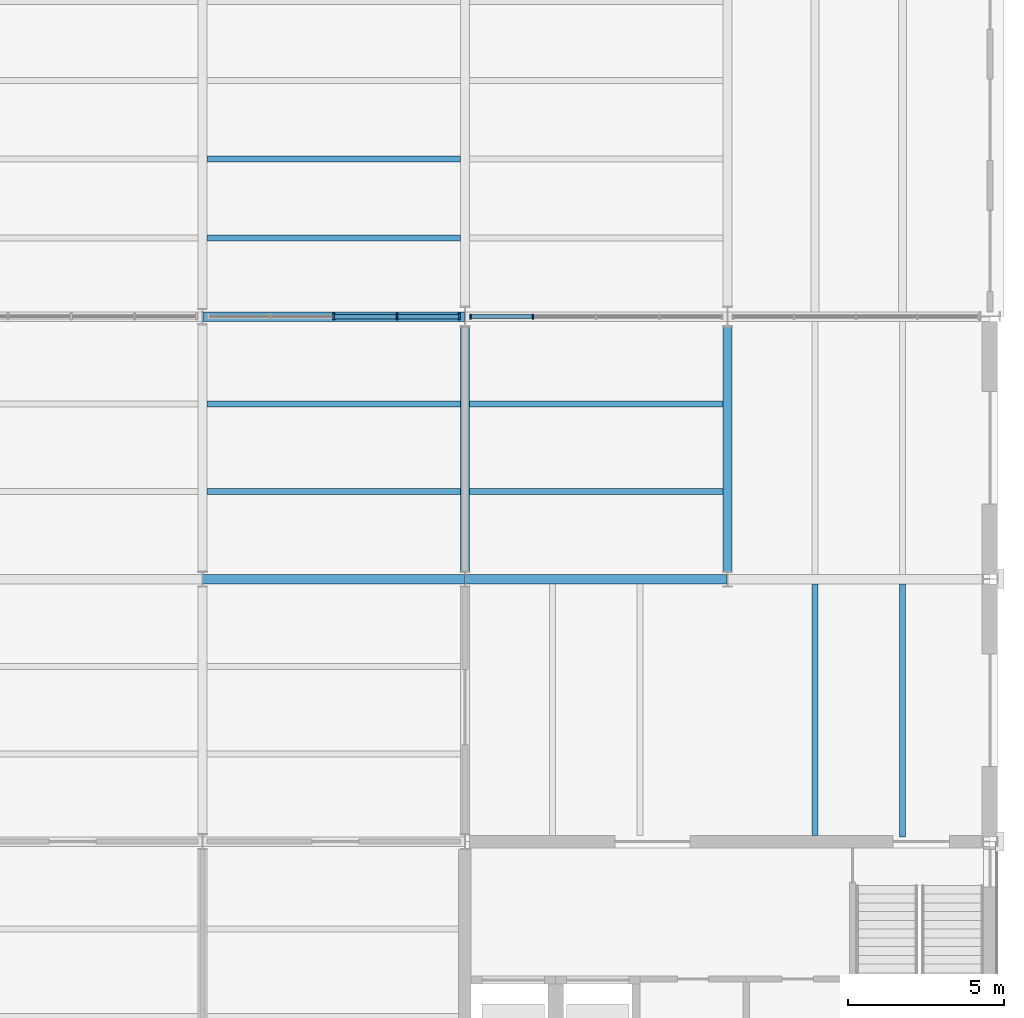
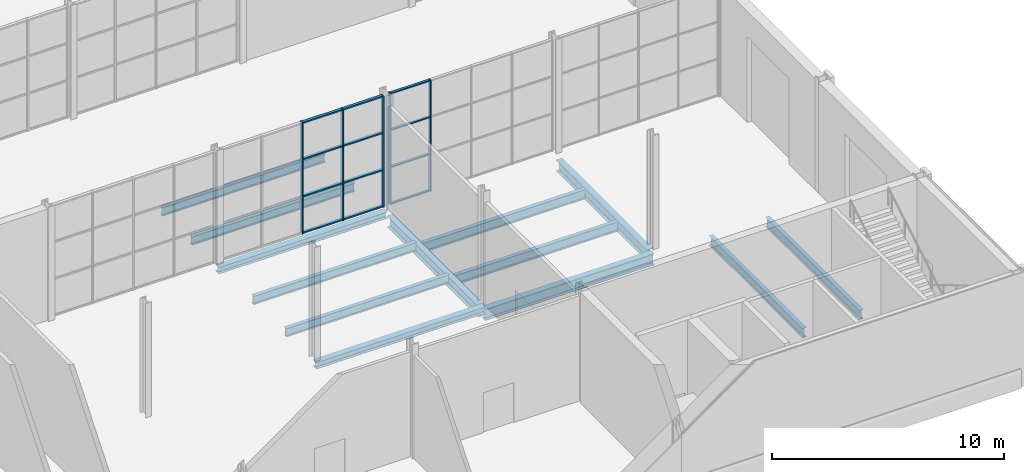
# One storey, part 21 of 55: 17 members, 13 beams, 2 elements without a shape of their own.
"""IFC4 building model written with IfcOpenShell, lengths in metres."""

from ifc_helpers import new_model, si_unit, direction, frame, origin, origin_2d, place, context, subcontext, project, spatial, rectangle, i_section, extrude, material, layer, layer_set, material_profile, profile_set, type_object, element, aggregate, save


model = new_model("IFC4")

# Units and contexts
model_context = context("Model", 3, precision=1e-05, world=origin(), true_north=direction((0.0, 1.0)))
body_context = subcontext(model_context, "Body", "Model", "MODEL_VIEW")
ifc_project = project(units=[si_unit("LENGTHUNIT", "METRE"), si_unit("AREAUNIT", "SQUARE_METRE"), si_unit("VOLUMEUNIT", "CUBIC_METRE"), si_unit("PLANEANGLEUNIT", "RADIAN"), si_unit("MASSUNIT", "GRAM", prefix="KILO")], contexts=[model_context])

# Site, building, storey
site_placement = place(None, origin())
site = spatial("IfcSite", under=ifc_project, at=site_placement, CompositionType="ELEMENT")
building_placement = place(site_placement, origin())
building = spatial("IfcBuilding", under=site, at=building_placement, Name="Galleria Vessillo Department Store", CompositionType="ELEMENT")
storey_placement = place(building_placement, origin())
storey = spatial("IfcBuildingStorey", under=building, at=storey_placement, Name="L00", CompositionType="ELEMENT", Elevation=0.0)

# Curtain wall, members
ifc_material_1 = material(Name="Aluminium and glass curtain wall", Category="aluminium")
ifc_layer_1 = layer(ifc_material_1, 0.159912109375)
ifc_layer_set_1 = layer_set([ifc_layer_1], Name="Aluminium and glass curtain wall")
curtain_wall_type_1 = type_object("IfcCurtainWallType", Name="Arcade portal glazing CW2 2100 module", PredefinedType="NOTDEFINED", material=ifc_layer_set_1)
curtain_wall_1_placement = place(storey_placement, origin())
curtain_wall_1 = element("IfcCurtainWall", 1, at=curtain_wall_1_placement, inside=storey, type_object=curtain_wall_type_1, Name="Arcade portal glazing CW2 2100 module PW-E-S-L00-01", PredefinedType="NOTDEFINED")
ifc_material_2 = material(Name="Aluminium alloy 6063 T6", Category="aluminium")
ifc_material_profile_1 = material_profile(ifc_material_2, rectangle(XDim=0.159912109375, YDim=0.050048828125, at=origin_2d()), Name="AL 50x160")
ifc_profile_set_1 = profile_set([ifc_material_profile_1], Name="Aluminium alloy 6063 T6")
member_type_1 = type_object("IfcMemberType", Name="Aluminium mullion 50 x 160", PredefinedType="MULLION", material=ifc_profile_set_1)
member_1_placement = place(storey_placement, frame((100.9775390625, 25.199951171875, 0.0), z_axis=(0.0, 0.0, 1.0), x_axis=(0.0, 1.0, 0.0)))
member_1 = element("IfcMember", 2, at=member_1_placement, type_object=member_type_1, Name="CW2 mullion 1", PredefinedType="MULLION", context=body_context, shape_type="SweptSolid", body=[
    extrude(rectangle(XDim=0.159912109375, YDim=0.050048828125, at=origin_2d()), origin(), (0.0, 0.0, 1.0), 5.85009765625),
])
member_2_placement = place(storey_placement, frame((102.976318359375, 25.199951171875, 0.0), z_axis=(0.0, 0.0, 1.0), x_axis=(0.0, 1.0, 0.0)))
member_2 = element("IfcMember", 3, at=member_2_placement, type_object=member_type_1, Name="CW2 mullion 2", PredefinedType="MULLION", context=body_context, shape_type="SweptSolid", body=[
    extrude(rectangle(XDim=0.159912109375, YDim=0.050048828125, at=origin_2d()), origin(), (0.0, 0.0, 1.0), 5.85009765625),
])

ifc_material_3 = material(Name="Aluminium and glass curtain wall", Category="aluminium")
ifc_layer_2 = layer(ifc_material_3, 0.199951171875)
ifc_layer_set_2 = layer_set([ifc_layer_2], Name="Aluminium and glass curtain wall")
curtain_wall_type_2 = type_object("IfcCurtainWallType", Name="Arcade curtain wall CW1 2100 module", PredefinedType="NOTDEFINED", material=ifc_layer_set_2)
curtain_wall_2_placement = place(storey_placement, origin())
curtain_wall_2 = element("IfcCurtainWall", 4, at=curtain_wall_2_placement, inside=storey, type_object=curtain_wall_type_2, Name="Arcade curtain wall CW1 2100 module AI-AE-S-L00-02", PredefinedType="NOTDEFINED")
ifc_material_4 = material(Name="Aluminium alloy 6063 T6", Category="aluminium")
ifc_material_profile_2 = material_profile(ifc_material_4, rectangle(XDim=0.199951171875, YDim=0.06005859375, at=origin_2d()), Name="AL 60x200")
ifc_profile_set_2 = profile_set([ifc_material_profile_2], Name="Aluminium alloy 6063 T6")
member_type_2 = type_object("IfcMemberType", Name="Aluminium mullion 60 x 200", PredefinedType="MULLION", material=ifc_profile_set_2)
member_3_placement = place(storey_placement, frame((96.600341796875, 25.199951171875, 0.0), z_axis=(0.0, 0.0, 1.0), x_axis=(0.0, 1.0, 0.0)))
member_3 = element("IfcMember", 5, at=member_3_placement, type_object=member_type_2, Name="CW1 mullion 3", PredefinedType="MULLION", context=body_context, shape_type="SweptSolid", body=[
    extrude(rectangle(XDim=0.199951171875, YDim=0.06005859375, at=origin_2d()), origin(), (0.0, 0.0, 1.0), 5.85009765625),
])
member_4_placement = place(storey_placement, frame((98.623779296875, 25.199951171875, 0.0), z_axis=(0.0, 0.0, 1.0), x_axis=(0.0, 1.0, 0.0)))
member_4 = element("IfcMember", 6, at=member_4_placement, type_object=member_type_2, Name="CW1 mullion 4", PredefinedType="MULLION", context=body_context, shape_type="SweptSolid", body=[
    extrude(rectangle(XDim=0.199951171875, YDim=0.06005859375, at=origin_2d()), origin(), (0.0, 0.0, 1.0), 5.85009765625),
])
member_5_placement = place(storey_placement, frame((100.617431640625, 25.199951171875, 0.0), z_axis=(0.0, 0.0, 1.0), x_axis=(0.0, 1.0, 0.0)))
member_5 = element("IfcMember", 7, at=member_5_placement, type_object=member_type_2, Name="CW1 mullion 5", PredefinedType="MULLION", context=body_context, shape_type="SweptSolid", body=[
    extrude(rectangle(XDim=0.199951171875, YDim=0.06005859375, at=origin_2d()), origin(), (0.0, 0.0, 1.0), 5.85009765625),
])

# Member
ifc_material_5 = material(Name="Aluminium alloy 6063 T6", Category="aluminium")
ifc_material_profile_3 = material_profile(ifc_material_5, rectangle(XDim=0.1201171875, YDim=0.06005859375, at=origin_2d()), Name="AL 60x120")
ifc_profile_set_3 = profile_set([ifc_material_profile_3], Name="Aluminium alloy 6063 T6")
member_type_3 = type_object("IfcMemberType", Name="Aluminium transom 60 x 120", PredefinedType="USERDEFINED", material=ifc_profile_set_3)
member_6_placement = place(storey_placement, frame((101.002685546875, 25.199951171875, 0.030029296875), z_axis=(1.0, 0.0, 0.0), x_axis=(0.0, 1.0, 0.0)))
member_6 = element("IfcMember", 8, at=member_6_placement, type_object=member_type_3, Name="CW2 transom 1.1", ObjectType="TRANSOM", PredefinedType="USERDEFINED", context=body_context, shape_type="SweptSolid", body=[
    extrude(rectangle(XDim=0.1201171875, YDim=0.06005859375, at=origin_2d()), origin(), (0.0, 0.0, 1.0), 1.94873046875),
])

member_7_placement = place(storey_placement, frame((101.002685546875, 25.199951171875, 1.949951171875), z_axis=(1.0, 0.0, 0.0), x_axis=(0.0, 1.0, 0.0)))
member_7 = element("IfcMember", 9, at=member_7_placement, type_object=member_type_3, Name="CW2 transom 1.2", ObjectType="TRANSOM", PredefinedType="USERDEFINED", context=body_context, shape_type="SweptSolid", body=[
    extrude(rectangle(XDim=0.1201171875, YDim=0.06005859375, at=origin_2d()), origin(), (0.0, 0.0, 1.0), 1.94873046875),
])

member_8_placement = place(storey_placement, frame((101.002685546875, 25.199951171875, 3.900146484375), z_axis=(1.0, 0.0, 0.0), x_axis=(0.0, 1.0, 0.0)))
member_8 = element("IfcMember", 10, at=member_8_placement, type_object=member_type_3, Name="CW2 transom 1.3", ObjectType="TRANSOM", PredefinedType="USERDEFINED", context=body_context, shape_type="SweptSolid", body=[
    extrude(rectangle(XDim=0.1201171875, YDim=0.06005859375, at=origin_2d()), origin(), (0.0, 0.0, 1.0), 1.94873046875),
])

member_9_placement = place(storey_placement, frame((101.002685546875, 25.199951171875, 5.820068359375), z_axis=(1.0, 0.0, 0.0), x_axis=(0.0, 1.0, 0.0)))
member_9 = element("IfcMember", 11, at=member_9_placement, type_object=member_type_3, Name="CW2 transom 1.4", ObjectType="TRANSOM", PredefinedType="USERDEFINED", context=body_context, shape_type="SweptSolid", body=[
    extrude(rectangle(XDim=0.1201171875, YDim=0.06005859375, at=origin_2d()), origin(), (0.0, 0.0, 1.0), 1.94873046875),
])

aggregate(curtain_wall_1, [member_1, member_2, member_6, member_7, member_8, member_9])

ifc_material_6 = material(Name="Aluminium alloy 6063 T6", Category="aluminium")
ifc_material_profile_4 = material_profile(ifc_material_6, rectangle(XDim=0.139892578125, YDim=0.070068359375, at=origin_2d()), Name="AL 70x140")
ifc_profile_set_4 = profile_set([ifc_material_profile_4], Name="Aluminium alloy 6063 T6")
member_type_4 = type_object("IfcMemberType", Name="Aluminium transom 70 x 140", PredefinedType="USERDEFINED", material=ifc_profile_set_4)
member_10_placement = place(storey_placement, frame((96.630126953125, 25.199951171875, 0.034912109375), z_axis=(1.0, 0.0, 0.0), x_axis=(0.0, 1.0, 0.0)))
member_10 = element("IfcMember", 12, at=member_10_placement, type_object=member_type_4, Name="CW1 transom 3.1", ObjectType="TRANSOM", PredefinedType="USERDEFINED", context=body_context, shape_type="SweptSolid", body=[
    extrude(rectangle(XDim=0.139892578125, YDim=0.070068359375, at=origin_2d()), origin(), (0.0, 0.0, 1.0), 1.963623046875),
])

member_11_placement = place(storey_placement, frame((96.630126953125, 25.199951171875, 1.949951171875), z_axis=(1.0, 0.0, 0.0), x_axis=(0.0, 1.0, 0.0)))
member_11 = element("IfcMember", 13, at=member_11_placement, type_object=member_type_4, Name="CW1 transom 3.2", ObjectType="TRANSOM", PredefinedType="USERDEFINED", context=body_context, shape_type="SweptSolid", body=[
    extrude(rectangle(XDim=0.139892578125, YDim=0.070068359375, at=origin_2d()), origin(), (0.0, 0.0, 1.0), 1.963623046875),
])

member_12_placement = place(storey_placement, frame((96.630126953125, 25.199951171875, 3.900146484375), z_axis=(1.0, 0.0, 0.0), x_axis=(0.0, 1.0, 0.0)))
member_12 = element("IfcMember", 14, at=member_12_placement, type_object=member_type_4, Name="CW1 transom 3.3", ObjectType="TRANSOM", PredefinedType="USERDEFINED", context=body_context, shape_type="SweptSolid", body=[
    extrude(rectangle(XDim=0.139892578125, YDim=0.070068359375, at=origin_2d()), origin(), (0.0, 0.0, 1.0), 1.963623046875),
])

member_13_placement = place(storey_placement, frame((96.630126953125, 25.199951171875, 5.815185546875), z_axis=(1.0, 0.0, 0.0), x_axis=(0.0, 1.0, 0.0)))
member_13 = element("IfcMember", 15, at=member_13_placement, type_object=member_type_4, Name="CW1 transom 3.4", ObjectType="TRANSOM", PredefinedType="USERDEFINED", context=body_context, shape_type="SweptSolid", body=[
    extrude(rectangle(XDim=0.139892578125, YDim=0.070068359375, at=origin_2d()), origin(), (0.0, 0.0, 1.0), 1.963623046875),
])

member_14_placement = place(storey_placement, frame((98.65380859375, 25.199951171875, 0.034912109375), z_axis=(1.0, 0.0, 0.0), x_axis=(0.0, 1.0, 0.0)))
member_14 = element("IfcMember", 16, at=member_14_placement, type_object=member_type_4, Name="CW1 transom 4.1", ObjectType="TRANSOM", PredefinedType="USERDEFINED", context=body_context, shape_type="SweptSolid", body=[
    extrude(rectangle(XDim=0.139892578125, YDim=0.070068359375, at=origin_2d()), origin(), (0.0, 0.0, 1.0), 1.93359375),
])

member_15_placement = place(storey_placement, frame((98.65380859375, 25.199951171875, 1.949951171875), z_axis=(1.0, 0.0, 0.0), x_axis=(0.0, 1.0, 0.0)))
member_15 = element("IfcMember", 17, at=member_15_placement, type_object=member_type_4, Name="CW1 transom 4.2", ObjectType="TRANSOM", PredefinedType="USERDEFINED", context=body_context, shape_type="SweptSolid", body=[
    extrude(rectangle(XDim=0.139892578125, YDim=0.070068359375, at=origin_2d()), origin(), (0.0, 0.0, 1.0), 1.93359375),
])

member_16_placement = place(storey_placement, frame((98.65380859375, 25.199951171875, 3.900146484375), z_axis=(1.0, 0.0, 0.0), x_axis=(0.0, 1.0, 0.0)))
member_16 = element("IfcMember", 18, at=member_16_placement, type_object=member_type_4, Name="CW1 transom 4.3", ObjectType="TRANSOM", PredefinedType="USERDEFINED", context=body_context, shape_type="SweptSolid", body=[
    extrude(rectangle(XDim=0.139892578125, YDim=0.070068359375, at=origin_2d()), origin(), (0.0, 0.0, 1.0), 1.93359375),
])

member_17_placement = place(storey_placement, frame((98.65380859375, 25.199951171875, 5.815185546875), z_axis=(1.0, 0.0, 0.0), x_axis=(0.0, 1.0, 0.0)))
member_17 = element("IfcMember", 19, at=member_17_placement, type_object=member_type_4, Name="CW1 transom 4.4", ObjectType="TRANSOM", PredefinedType="USERDEFINED", context=body_context, shape_type="SweptSolid", body=[
    extrude(rectangle(XDim=0.139892578125, YDim=0.070068359375, at=origin_2d()), origin(), (0.0, 0.0, 1.0), 1.93359375),
])

aggregate(curtain_wall_2, [member_3, member_4, member_5, member_10, member_11, member_12, member_13, member_14, member_15, member_16, member_17])

# Beams
ifc_material_7 = material(Name="Steel S355 J2", Category="steel")
ifc_material_profile_5 = material_profile(ifc_material_7, i_section(OverallWidth=0.300048828125, OverallDepth=0.590087890625, WebThickness=0.012939453125, FlangeThickness=0.02490234375, FilletRadius=0.027099609375, at=origin_2d()), Name="HEA 600")
ifc_profile_set_5 = profile_set([ifc_material_profile_5], Name="Steel S355 J2")
beam_type_1 = type_object("IfcBeamType", Name="Floor girder HEA 600", PredefinedType="BEAM", material=ifc_profile_set_5)
beam_1_placement = place(storey_placement, frame((100.807373046875, 16.800048828125, -0.594970703125), z_axis=(1.0, 0.0, 0.0), x_axis=(0.0, 1.0, 0.0)))
element("IfcBeam", 20, at=beam_1_placement, inside=storey, type_object=beam_type_1, Name="S-BM-L00-GI-x16800-100807", PredefinedType="BEAM", context=body_context, shape_type="SweptSolid", body=[
    extrude(i_section(OverallWidth=0.300048828125, OverallDepth=0.590087890625, WebThickness=0.012939453125, FlangeThickness=0.02490234375, FilletRadius=0.027099609375, at=origin_2d()), origin(), (0.0, 0.0, 1.0), 8.38525390625),
])
for number, where, z_axis, x_axis, name in (
    (21, (100.800048828125, 17.050048828125, -0.594970703125), (0.0, 1.0, 0.0), (-1.0, 0.0, 0.0), "S-BM-L00-GI-y100800-17050"),
    (22, (109.199951171875, 17.050048828125, -0.594970703125), (0.0, 1.0, 0.0), (-1.0, 0.0, 0.0), "S-BM-L00-GI-y109200-17050"),
):
    element("IfcBeam", number, at=place(storey_placement, frame(where, z_axis=z_axis, x_axis=x_axis)), inside=storey, type_object=beam_type_1, Name=name, PredefinedType="BEAM", context=body_context, shape_type="SweptSolid", body=[
        extrude(i_section(OverallWidth=0.300048828125, OverallDepth=0.590087890625, WebThickness=0.012939453125, FlangeThickness=0.02490234375, FilletRadius=0.027099609375, at=origin_2d()), origin(), (0.0, 0.0, 1.0), 7.81591796875),
    ])
ifc_material_8 = material(Name="Steel S355 J2", Category="steel")
ifc_material_profile_6 = material_profile(ifc_material_8, i_section(OverallWidth=0.18994140625, OverallDepth=0.449951171875, WebThickness=0.009521484375, FlangeThickness=0.0146484375, FilletRadius=0.02099609375, at=origin_2d()), Name="IPE 450")
ifc_profile_set_6 = profile_set([ifc_material_profile_6], Name="Steel S355 J2")
beam_type_2 = type_object("IfcBeamType", Name="Floor joist IPE 450", PredefinedType="JOIST", material=ifc_profile_set_6)
for number, where, z_axis, x_axis, name in (
    (23, (92.550048828125, 19.60009765625, -0.375), (1.0, 0.0, 0.0), (0.0, 1.0, 0.0), "S-BM-L00-JO-x19600-92550"),
    (24, (92.550048828125, 22.39990234375, -0.375), (1.0, 0.0, 0.0), (0.0, 1.0, 0.0), "S-BM-L00-JO-x22400-92550"),
    (25, (92.550048828125, 27.719970703125, -0.47509765625), (1.0, 0.0, 0.0), (0.0, 1.0, 0.0), "S-BM-L00-JO-x27720-92550"),
    (26, (92.550048828125, 30.239990234375, -0.47509765625), (1.0, 0.0, 0.0), (0.0, 1.0, 0.0), "S-BM-L00-JO-x30240-92550"),
):
    element("IfcBeam", number, at=place(storey_placement, frame(where, z_axis=z_axis, x_axis=x_axis)), inside=storey, type_object=beam_type_2, Name=name, PredefinedType="JOIST", context=body_context, shape_type="SweptSolid", body=[
        extrude(i_section(OverallWidth=0.18994140625, OverallDepth=0.449951171875, WebThickness=0.009521484375, FlangeThickness=0.0146484375, FilletRadius=0.02099609375, at=origin_2d()), origin(), (0.0, 0.0, 1.0), 8.099853515625),
    ])
ifc_material_9 = material(Name="Steel S355 J2", Category="steel")
ifc_material_profile_7 = material_profile(ifc_material_9, i_section(OverallWidth=0.199951171875, OverallDepth=0.5, WebThickness=0.01025390625, FlangeThickness=0.01611328125, FilletRadius=0.02099609375, at=origin_2d()), Name="IPE 500")
ifc_profile_set_7 = profile_set([ifc_material_profile_7], Name="Steel S355 J2")
beam_type_3 = type_object("IfcBeamType", Name="Floor joist IPE 500", PredefinedType="JOIST", material=ifc_profile_set_7)
for number, where, z_axis, x_axis, name in (
    (27, (100.9501953125, 19.60009765625, -0.550048828125), (1.0, 0.0, 0.0), (0.0, 1.0, 0.0), "S-BM-L00-JO-x19600-100950"),
    (28, (100.9501953125, 22.39990234375, -0.550048828125), (1.0, 0.0, 0.0), (0.0, 1.0, 0.0), "S-BM-L00-JO-x22400-100950"),
):
    element("IfcBeam", number, at=place(storey_placement, frame(where, z_axis=z_axis, x_axis=x_axis)), inside=storey, type_object=beam_type_3, Name=name, PredefinedType="JOIST", context=body_context, shape_type="SweptSolid", body=[
        extrude(i_section(OverallWidth=0.199951171875, OverallDepth=0.5, WebThickness=0.01025390625, FlangeThickness=0.01611328125, FilletRadius=0.02099609375, at=origin_2d()), origin(), (0.0, 0.0, 1.0), 8.099609375),
    ])
beam_2_placement = place(storey_placement, frame((112.0, 8.60009765625, -0.550048828125), z_axis=(0.0, 1.0, 0.0), x_axis=(-1.0, 0.0, 0.0)))
element("IfcBeam", 29, at=beam_2_placement, inside=storey, type_object=beam_type_3, Name="S-BM-L00-JO-y112000-8600", PredefinedType="JOIST", context=body_context, shape_type="SweptSolid", body=[
    extrude(i_section(OverallWidth=0.199951171875, OverallDepth=0.5, WebThickness=0.01025390625, FlangeThickness=0.01611328125, FilletRadius=0.02099609375, at=origin_2d()), origin(), (0.0, 0.0, 1.0), 8.0498046875),
])
beam_3_placement = place(storey_placement, frame((114.800048828125, 8.550048828125, -0.550048828125), z_axis=(0.0, 1.0, 0.0), x_axis=(-1.0, 0.0, 0.0)))
element("IfcBeam", 30, at=beam_3_placement, inside=storey, type_object=beam_type_3, Name="S-BM-L00-JO-y114800-8550", PredefinedType="JOIST", context=body_context, shape_type="SweptSolid", body=[
    extrude(i_section(OverallWidth=0.199951171875, OverallDepth=0.5, WebThickness=0.01025390625, FlangeThickness=0.01611328125, FilletRadius=0.02099609375, at=origin_2d()), origin(), (0.0, 0.0, 1.0), 8.099853515625),
])
ifc_material_10 = material(Name="Steel S355 J2", Category="steel")
ifc_material_profile_8 = material_profile(ifc_material_10, i_section(OverallWidth=0.300048828125, OverallDepth=0.35009765625, WebThickness=0.010009765625, FlangeThickness=0.017578125, FilletRadius=0.027099609375, at=origin_2d()), Name="HEA 360")
ifc_profile_set_8 = profile_set([ifc_material_profile_8], Name="Steel S355 J2")
beam_type_4 = type_object("IfcBeamType", Name="Floor tie girder HEA 360", PredefinedType="BEAM", material=ifc_profile_set_8)
beam_4_placement = place(storey_placement, frame((92.407470703125, 16.800048828125, -0.324951171875), z_axis=(1.0, 0.0, 0.0), x_axis=(0.0, 1.0, 0.0)))
element("IfcBeam", 31, at=beam_4_placement, inside=storey, type_object=beam_type_4, Name="S-BM-L00-TI-x16800-92407", PredefinedType="BEAM", context=body_context, shape_type="SweptSolid", body=[
    extrude(i_section(OverallWidth=0.300048828125, OverallDepth=0.35009765625, WebThickness=0.010009765625, FlangeThickness=0.017578125, FilletRadius=0.027099609375, at=origin_2d()), origin(), (0.0, 0.0, 1.0), 8.38525390625),
])
beam_5_placement = place(storey_placement, frame((92.41064453125, 25.199951171875, -0.425048828125), z_axis=(1.0, 0.0, 0.0), x_axis=(0.0, 1.0, 0.0)))
element("IfcBeam", 32, at=beam_5_placement, inside=storey, type_object=beam_type_4, Name="S-BM-L00-TI-x25200-92411", PredefinedType="BEAM", context=body_context, shape_type="SweptSolid", body=[
    extrude(i_section(OverallWidth=0.300048828125, OverallDepth=0.35009765625, WebThickness=0.010009765625, FlangeThickness=0.017578125, FilletRadius=0.027099609375, at=origin_2d()), origin(), (0.0, 0.0, 1.0), 8.378662109375),
])

save(model, "model.ifc")
